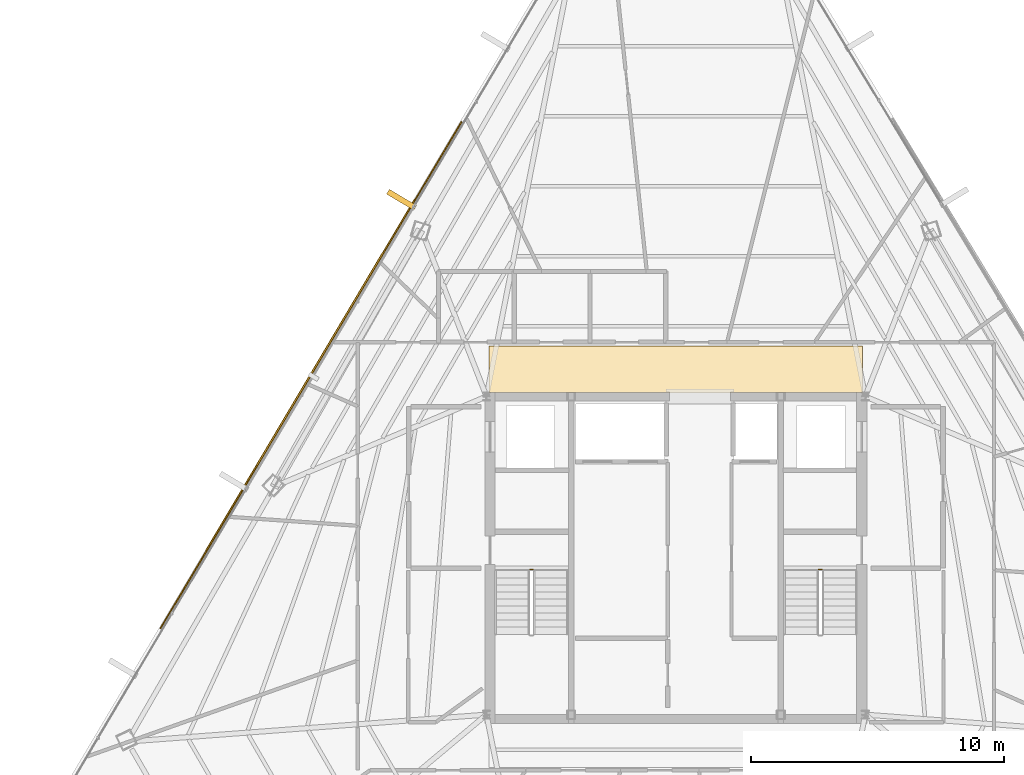
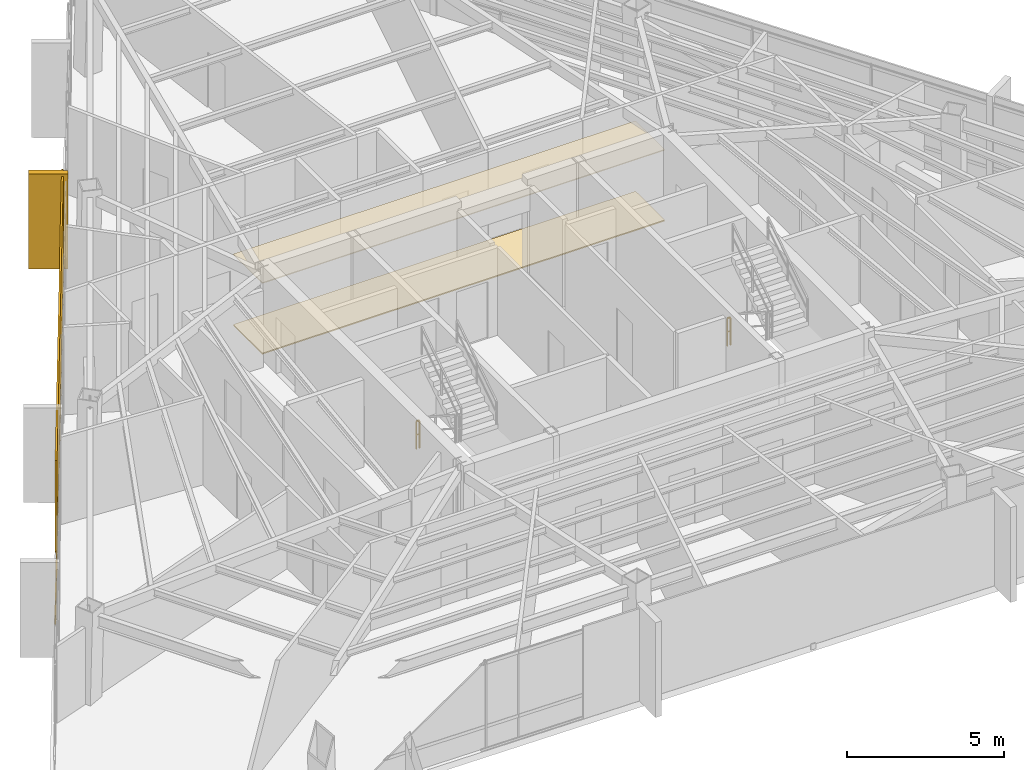
# One storey, part 45 of 46: 4 coverings, 2 railings, 1 shading device.
"""IFC4 building model written with IfcOpenShell, lengths in metres."""

from ifc_helpers import new_model, si_unit, direction, frame, origin, origin_2d, place, context, subcontext, project, spatial, polyline, rectangle, outline, extrude, source, transform, mapped, material, layer, layer_set, type_object, type_shapes, element, save


model = new_model("IFC4")

# Units and contexts
model_context = context("Model", 3, precision=1e-05, world=origin(), true_north=direction((0.0, 1.0)))
body_context = subcontext(model_context, "Body", "Model", "MODEL_VIEW")
ifc_project = project(units=[si_unit("LENGTHUNIT", "METRE"), si_unit("AREAUNIT", "SQUARE_METRE"), si_unit("VOLUMEUNIT", "CUBIC_METRE"), si_unit("PLANEANGLEUNIT", "RADIAN"), si_unit("MASSUNIT", "GRAM", prefix="KILO")], contexts=[model_context])

# Site, building, storey
site_placement = place(None, origin())
site = spatial("IfcSite", under=ifc_project, at=site_placement, CompositionType="ELEMENT")
building_placement = place(site_placement, origin())
building = spatial("IfcBuilding", under=site, at=building_placement, Name="Caelisora Broadcast Tower", CompositionType="ELEMENT")
storey_placement = place(building_placement, frame((0.0, 0.0, 237.14990234375)))
storey = spatial("IfcBuildingStorey", under=building, at=storey_placement, Name="L62", CompositionType="ELEMENT", Elevation=237.14990234375)

# Coverings
ifc_material_1 = material(Name="Perforated Mineral-Fibre Acoustic Ceiling Tile", Category="gypsum")
ifc_layer_1 = layer(ifc_material_1, 0.034912109375, Name="Perforated Mineral-Fibre Acoustic Ceiling Tile")
ifc_layer_set_1 = layer_set([ifc_layer_1], Name="Perforated Mineral-Fibre Acoustic Ceiling Tile")
covering_type_1 = type_object("IfcCoveringType", Name="CE-1", PredefinedType="CEILING", material=ifc_layer_set_1)
covering_1_placement = place(storey_placement, frame((0.0, 0.0, 2.75)))
element("IfcCovering", 1, at=covering_1_placement, inside=storey, type_object=covering_type_1, Name="L62 acoustic corridor ceiling CE-1 (N)", PredefinedType="CEILING", context=body_context, shape_type="SweptSolid", body=[
    extrude(outline(polyline([(30.60009765625, 30.14990234375), (45.39990234375, 30.14990234375), (45.39990234375, 32.0), (30.60009765625, 32.0), (30.60009765625, 30.14990234375)])), origin(), (0.0, 0.0, 1.0), 0.03515625),
])
ifc_material_2 = material(Name="Anti-Static Broadcast Raised Access Floor Panel", Category="steel")
ifc_layer_2 = layer(ifc_material_2, 0.044921875, Name="Anti-Static Broadcast Raised Access Floor Panel")
ifc_layer_set_2 = layer_set([ifc_layer_2], Name="Anti-Static Broadcast Raised Access Floor Panel")
covering_type_2 = type_object("IfcCoveringType", Name="FL-1", PredefinedType="FLOORING", material=ifc_layer_set_2)
covering_2_placement = place(storey_placement, origin())
element("IfcCovering", 2, at=covering_2_placement, inside=storey, type_object=covering_type_2, Name="L62 broadcast raised access floor FL-1 (N)", PredefinedType="FLOORING", context=body_context, shape_type="SweptSolid", body=[
    extrude(outline(polyline([(30.60009765625, 30.14990234375), (45.39990234375, 30.14990234375), (45.39990234375, 32.0), (30.60009765625, 32.0), (30.60009765625, 30.14990234375)])), origin(), (0.0, 0.0, 1.0), 0.045166015625),
])

# Railings
ifc_material_3 = material(Name="Galvanised Steel Safety Guardrail", Category="steel")
ifc_layer_3 = layer(ifc_material_3, 0.048095703125, Name="Galvanised Steel Safety Guardrail")
ifc_layer_set_3 = layer_set([ifc_layer_3], Name="Galvanised Steel Safety Guardrail")
railing_type = type_object("IfcRailingType", Name="GR-1", PredefinedType="GUARDRAIL", material=ifc_layer_set_3)
for number, where, name in (
    (3, (32.219970703125, 23.14990234375, 0.0), "L62 ST-1 stair guard 4"),
    (4, (43.659912109375, 23.14990234375, 0.0), "L62 ST-2 stair guard 4"),
):
    element("IfcRailing", number, at=place(storey_placement, frame(where)), inside=storey, type_object=railing_type, Name=name, PredefinedType="GUARDRAIL", context=body_context, shape_type="SweptSolid", body=[
        extrude(rectangle(XDim=0.048095703125, YDim=0.048095703125, at=origin_2d()), frame((0.0, 0.0, 1.076171875), z_axis=(1.0, 0.0, 0.0), x_axis=(0.0, 1.0, 0.0)), (0.0, 0.0, 1.0), 0.1201171875),
        extrude(rectangle(XDim=0.03125, YDim=0.03125, at=origin_2d()), frame((0.0, 0.0, 0.550048828125), z_axis=(1.0, 0.0, 0.0), x_axis=(0.0, 1.0, 0.0)), (0.0, 0.0, 1.0), 0.1201171875),
        extrude(rectangle(XDim=0.0419921875, YDim=0.0419921875, at=origin_2d()), origin(), (0.0, 0.0, 1.0), 1.052001953125),
        extrude(rectangle(XDim=0.0419921875, YDim=0.0419921875, at=origin_2d()), frame((0.1201171875, 0.0, 0.0)), (0.0, 0.0, 1.0), 1.052001953125),
    ])

# Covering
ifc_material_4 = material(Name="Kiln-Fired Terracotta Spandrel Rainscreen Cladding", Category="ceramic")
ifc_layer_4 = layer(ifc_material_4, 0.044921875, Name="Kiln-Fired Terracotta Spandrel Rainscreen Cladding")
ifc_layer_set_4 = layer_set([ifc_layer_4], Name="Kiln-Fired Terracotta Spandrel Rainscreen Cladding")
covering_type_3 = type_object("IfcCoveringType", Name="CL-1", PredefinedType="CLADDING", material=ifc_layer_set_4)
shared_shape_1 = source(origin(), body_context, "Body", "SweptSolid", [
    extrude(rectangle(XDim=0.219970703125, YDim=1.25, at=origin_2d()), origin(), (0.0, 0.0, 1.0), 3.68994140625),
])
covering_3_placement = place(storey_placement, frame((27.135009765625, 37.7890625, -0.019775390625), z_axis=(0.0, 0.0, 1.0), x_axis=(0.510993065504, 0.859584834096, 0.0)))
element("IfcCovering", 5, at=covering_3_placement, inside=storey, type_object=covering_type_3, Name="L62 vertical solar fin cladding #3-3", PredefinedType="CLADDING", context=body_context, shape_type="MappedRepresentation", body=[
    mapped(shared_shape_1, transform((0.0, 0.0, 0.0), scale=1.0)),
])

# Shading device
ifc_material_5 = material(Name="Perforated Glazed Terracotta Baguette Solar Screen", Category="ceramic")
ifc_layer_5 = layer(ifc_material_5, 0.06494140625, Name="Perforated Glazed Terracotta Baguette Solar Screen")
ifc_layer_set_5 = layer_set([ifc_layer_5], Name="Perforated Glazed Terracotta Baguette Solar Screen")
shading_device_type = type_object("IfcShadingDeviceType", Name="SS-1", PredefinedType="USERDEFINED", material=ifc_layer_set_5)
shared_shape_2 = source(origin(), body_context, "Body", "SweptSolid", [
    extrude(rectangle(XDim=16.16796875, YDim=0.06494140625, at=origin_2d()), origin(), (0.0, 0.0, 1.0), 3.590087890625),
])
type_shapes(shading_device_type, [shared_shape_2])
shading_device_placement = place(storey_placement, frame((23.534423828125, 30.8505859375, 0.0), z_axis=(0.0, 0.0, 1.0), x_axis=(-0.510993065504, -0.859584834096, 0.0)))
element("IfcShadingDevice", 6, at=shading_device_placement, inside=storey, type_object=shading_device_type, Name="L62 perforated terracotta solar screen #1", ObjectType="SOLAR SCREEN", PredefinedType="USERDEFINED", context=body_context, shape_type="MappedRepresentation", body=[
    mapped(shared_shape_2, transform((0.0, 0.0, 0.0), scale=1.0)),
])

# Covering
shared_shape_3 = source(origin(), body_context, "Body", "SweptSolid", [
    extrude(rectangle(XDim=23.35302734375, YDim=0.044921875, at=origin_2d()), origin(), (0.0, 0.0, 1.0), 0.340087890625),
])
type_shapes(covering_type_3, [shared_shape_1, shared_shape_3])
covering_4_placement = place(storey_placement, frame((23.551513671875, 30.84033203125, -0.27001953125), z_axis=(0.0, 0.0, 1.0), x_axis=(-0.510993065504, -0.859584834096, 0.0)))
element("IfcCovering", 7, at=covering_4_placement, inside=storey, type_object=covering_type_3, Name="L62 terracotta spandrel rainscreen #1", PredefinedType="CLADDING", context=body_context, shape_type="MappedRepresentation", body=[
    mapped(shared_shape_3, transform((0.0, 0.0, 0.0), scale=1.0)),
])

save(model, "model.ifc")
